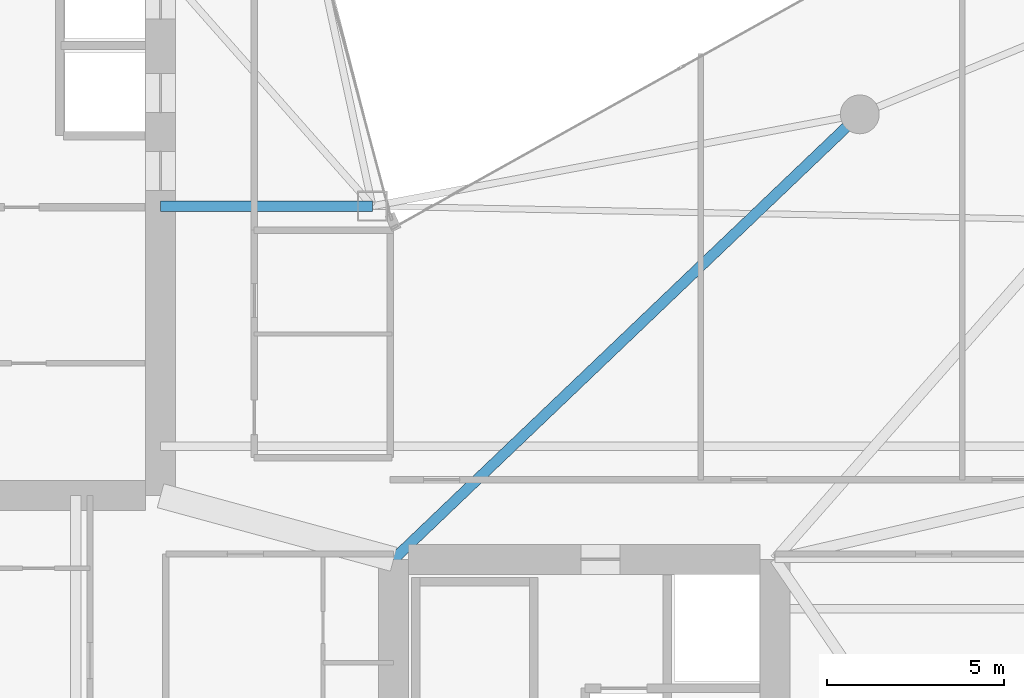
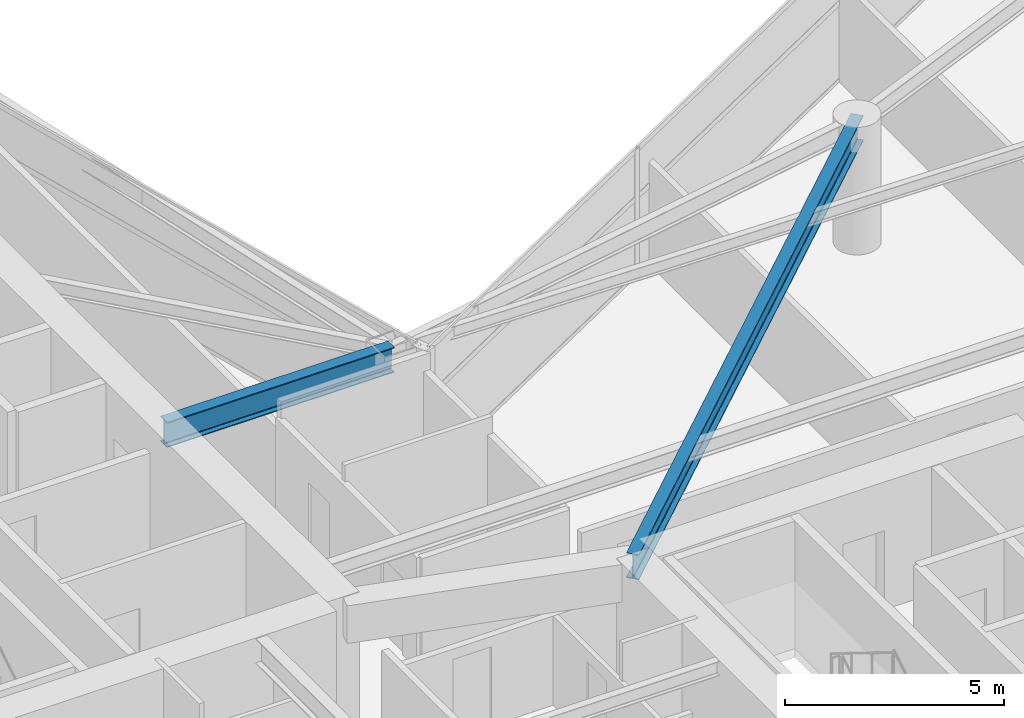
# One storey, part 9 of 28: 2 beams.
"""IFC4 building model written with IfcOpenShell, lengths in metres."""

from ifc_helpers import new_model, si_unit, direction, frame, origin, origin_2d, place, context, subcontext, project, spatial, i_section, extrude, material, material_profile, profile_set, type_object, element, save


model = new_model("IFC4")

# Units and contexts
model_context = context("Model", 3, precision=1e-05, world=origin(), true_north=direction((0.0, 1.0)))
body_context = subcontext(model_context, "Body", "Model", "MODEL_VIEW")
ifc_project = project(units=[si_unit("LENGTHUNIT", "METRE"), si_unit("AREAUNIT", "SQUARE_METRE"), si_unit("VOLUMEUNIT", "CUBIC_METRE"), si_unit("PLANEANGLEUNIT", "RADIAN"), si_unit("MASSUNIT", "GRAM", prefix="KILO")], contexts=[model_context])

# Site, building, storey
site_placement = place(None, origin())
site = spatial("IfcSite", under=ifc_project, at=site_placement, CompositionType="ELEMENT")
building_placement = place(site_placement, origin())
building = spatial("IfcBuilding", under=site, at=building_placement, Name="Calvorn Quay Hotel", CompositionType="ELEMENT")
storey_placement = place(building_placement, frame((0.0, 0.0, 101.199951171875)))
storey = spatial("IfcBuildingStorey", under=building, at=storey_placement, Name="L24", CompositionType="ELEMENT", Elevation=101.199951171875)

# Beams
ifc_material = material(Name="Steel Q390GJC", Category="steel")
ifc_material_profile = material_profile(ifc_material, i_section(OverallWidth=0.300048828125, OverallDepth=0.699951171875, WebThickness=0.012939453125, FlangeThickness=0.02392578125, FilletRadius=0.02392578125, at=origin_2d()), Name="HN700x300x13x24")
ifc_profile_set = profile_set([ifc_material_profile], Name="Steel Q390GJC")
beam_type = type_object("IfcBeamType", Name="BM-GIRD-MAIN", PredefinedType="BEAM", material=ifc_profile_set)
beam_1_placement = place(storey_placement, frame((21.0, 25.0, 3.18994140625), z_axis=(-1.0, 0.0, 0.0), x_axis=(0.0, -1.0, 0.0)))
element("IfcBeam", 1, at=beam_1_placement, inside=storey, type_object=beam_type, Name="Beam BG-L24-W7", PredefinedType="BEAM", context=body_context, shape_type="SweptSolid", body=[
    extrude(i_section(OverallWidth=0.300048828125, OverallDepth=0.699951171875, WebThickness=0.012939453125, FlangeThickness=0.02392578125, FilletRadius=0.02392578125, at=origin_2d()), origin(), (0.0, 0.0, 1.0), 6.0),
])
beam_2_placement = place(storey_placement, frame((21.60009765625, 15.0, 3.18994140625), z_axis=(0.723351595578, 0.690479883252, 0.0), x_axis=(-0.690479883252, 0.723351595578, 0.0)))
element("IfcBeam", 2, at=beam_2_placement, inside=storey, type_object=beam_type, Name="Beam BG-L24-E4", PredefinedType="BEAM", context=body_context, shape_type="SweptSolid", body=[
    extrude(i_section(OverallWidth=0.300048828125, OverallDepth=0.699951171875, WebThickness=0.012939453125, FlangeThickness=0.02392578125, FilletRadius=0.02392578125, at=origin_2d()), origin(), (0.0, 0.0, 1.0), 18.248291015625),
])

save(model, "model.ifc")
